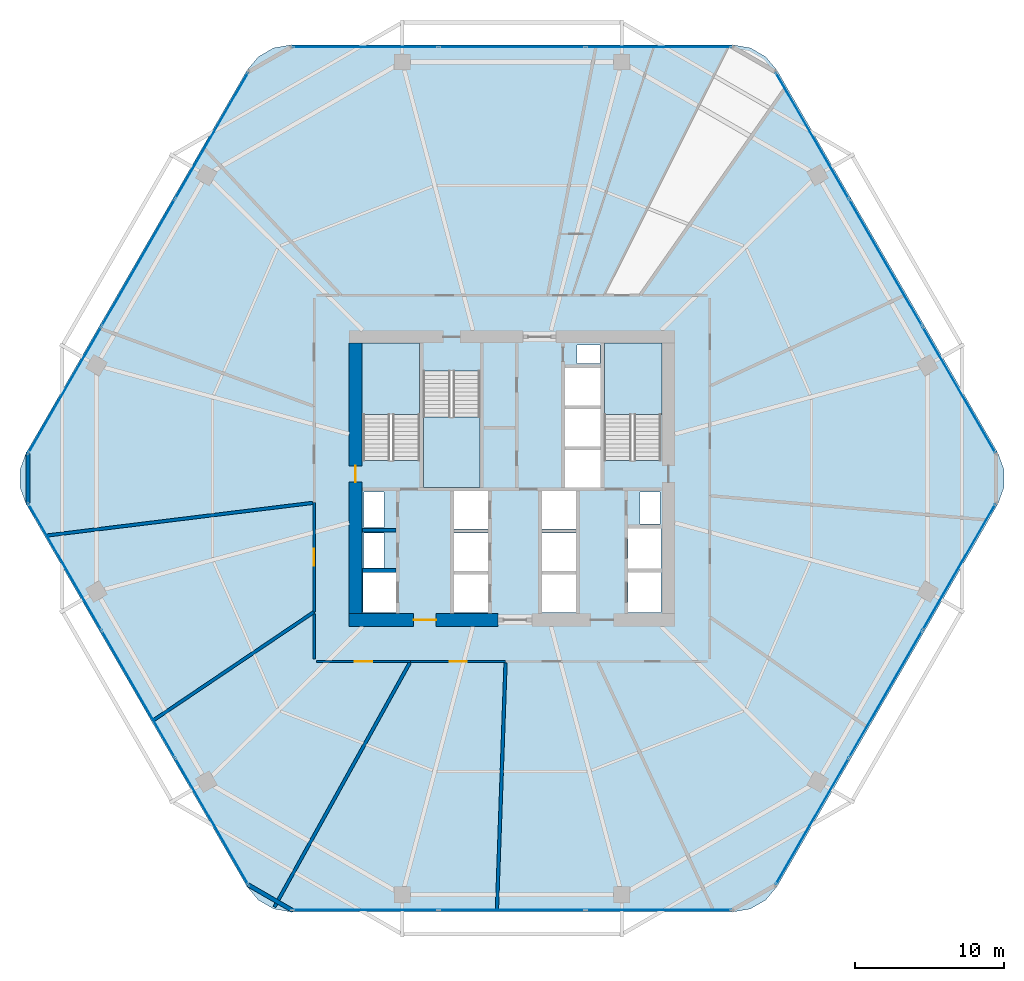
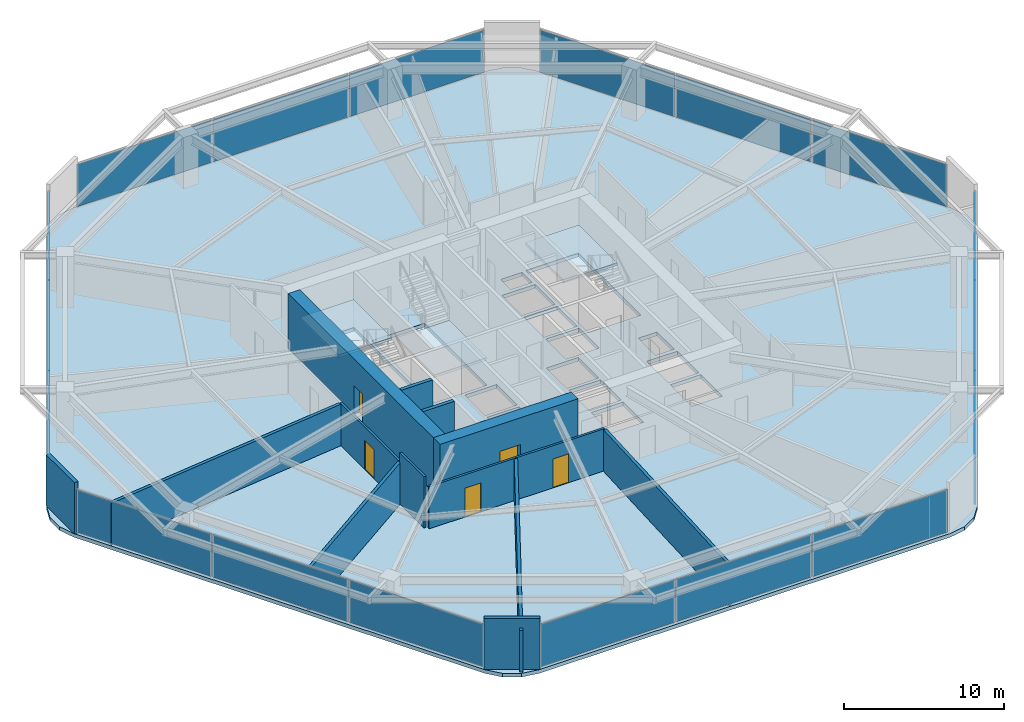
# One storey, part 24 of 28: 18 plates, 14 walls, 5 doors, 4 slabs, 5 openings, 9 elements without a shape of their own.
"""IFC4 building model written with IfcOpenShell, lengths in metres."""

import ifcopenshell
import ifcopenshell.guid

model = None  # the IFC model being written
_history = None  # IfcOwnerHistory: only IFC2X3 demands one
_inside = {}  # id of a spatial element -> (the spatial element, [elements in it])
_under = {}  # id of a project, library or spatial element -> (it, [spatial elements below it])
_declared = {}  # id of a project -> (the project, [libraries it declares])
_typed = {}  # id of a type object -> (the type object, [elements of that type])
_made_of = {}  # id of a material, layer set ... -> (it, [elements and type objects made of it])


def new_model(schema):
    """Start an empty IFC model of exactly this schema.

    Asked for "IFC4X3", IfcOpenShell would pick the latest addendum, in which some entities
    have other attributes; the version numbers below select the first issue.
    IFC2X3 requires an IfcOwnerHistory on every rooted entity: one is made here for all.
    """
    global model, _history
    if schema == "IFC4X3":
        model = ifcopenshell.file(schema_version=(4, 3, 0, 0))
    else:
        model = ifcopenshell.file(schema=schema)
    _inside.clear()
    _under.clear()
    _declared.clear()
    _typed.clear()
    _made_of.clear()
    _history = None
    if model.schema == "IFC2X3":
        org = make("IfcOrganization", Name="unknown")
        user = make(
            "IfcPersonAndOrganization",
            ThePerson=make("IfcPerson", FamilyName="unknown"),
            TheOrganization=org,
        )
        app = make(
            "IfcApplication",
            ApplicationDeveloper=org,
            Version="unknown",
            ApplicationFullName="unknown",
            ApplicationIdentifier="unknown",
        )
        _history = make(
            "IfcOwnerHistory",
            OwningUser=user,
            OwningApplication=app,
            ChangeAction="ADDED",
            CreationDate=0,
        )
    return model


def make(cls, **values):
    """One entity of the class cls with the attributes given. An attribute that is None is left unset."""
    return model.create_entity(
        cls, **{name: value for name, value in values.items() if value is not None}
    )


def rooted(cls, **values):
    """An entity with a GlobalId (a new one), such as an element, a storey or a relation."""
    return make(cls, GlobalId=ifcopenshell.guid.new(), OwnerHistory=_history, **values)


def si_unit(unit_type, name, prefix=None):
    """IfcSIUnit, for example si_unit("LENGTHUNIT", "METRE", prefix="MILLI")."""
    return make("IfcSIUnit", UnitType=unit_type, Prefix=prefix, Name=name)


def assignment(units):
    """IfcUnitAssignment: the units of a project."""
    return None if units is None else make("IfcUnitAssignment", Units=units)


def point(xyz):
    """IfcCartesianPoint."""
    return None if xyz is None else make("IfcCartesianPoint", Coordinates=xyz)


def direction(xyz):
    """IfcDirection."""
    return None if xyz is None else make("IfcDirection", DirectionRatios=xyz)


def frame(location, z_axis=None, x_axis=None):
    """IfcAxis2Placement3D, a coordinate frame: its origin and axes. An axis left out is left unset."""
    return make(
        "IfcAxis2Placement3D",
        Location=point(location),
        Axis=direction(z_axis),
        RefDirection=direction(x_axis),
    )


def frame_2d(location, x_axis=None):
    """IfcAxis2Placement2D, a coordinate frame in the plane: its origin and x axis."""
    return make(
        "IfcAxis2Placement2D", Location=point(location), RefDirection=direction(x_axis)
    )


def origin():
    """The frame at (0, 0, 0) with its axes left unset."""
    return frame((0.0, 0.0, 0.0))


def origin_2d():
    """The frame at (0, 0) in the plane with its x axis left unset."""
    return frame_2d((0.0, 0.0))


def place(relative_to, where):
    """IfcLocalPlacement: puts the frame where relative to a parent placement (None: the world)."""
    return make(
        "IfcLocalPlacement", PlacementRelTo=relative_to, RelativePlacement=where
    )


def context(
    kind, dimensions, precision=None, world=None, true_north=None, identifier=None
):
    """IfcGeometricRepresentationContext, for example the 3D "Model" context."""
    return make(
        "IfcGeometricRepresentationContext",
        ContextIdentifier=identifier,
        ContextType=kind,
        CoordinateSpaceDimension=dimensions,
        Precision=precision,
        WorldCoordinateSystem=world,
        TrueNorth=true_north,
    )


def subcontext(parent, identifier, kind, view, scale=None):
    """IfcGeometricRepresentationSubContext, for example "Body" below "Model"."""
    return make(
        "IfcGeometricRepresentationSubContext",
        ContextIdentifier=identifier,
        ContextType=kind,
        ParentContext=parent,
        TargetScale=scale,
        TargetView=view,
    )


def project(units=None, contexts=None):
    """IfcProject with its units and contexts."""
    return rooted(
        "IfcProject",
        Name="project",
        RepresentationContexts=contexts,
        UnitsInContext=assignment(units),
    )


def spatial(cls, under=None, at=None, **own):
    """A site, building, storey or space (cls), placed at a placement, below another one or the project."""
    s = rooted(cls, ObjectPlacement=at, **own)
    if under is not None:
        _under.setdefault(under.id(), (under, []))[1].append(s)
    return s


def polyline(points):
    """IfcPolyline through the points."""
    return make("IfcPolyline", Points=[point(p) for p in points])


def profile(cls, at=None, kind="AREA", **sizes):
    """A parametric profile (cls). Its sizes go by their IFC names, for example OverallWidth=200.0."""
    return make(cls, ProfileType=kind, Position=at, **sizes)


def rectangle(**sizes):
    """IfcRectangleProfileDef."""
    return profile("IfcRectangleProfileDef", **sizes)


def outline(outer, holes=None, kind="AREA"):
    """IfcArbitraryClosedProfileDef: a profile drawn as a closed curve; with holes, ...WithVoids."""
    if holes is None:
        return make("IfcArbitraryClosedProfileDef", ProfileType=kind, OuterCurve=outer)
    return make(
        "IfcArbitraryProfileDefWithVoids",
        ProfileType=kind,
        OuterCurve=outer,
        InnerCurves=holes,
    )


def extrude(swept, where, along, depth):
    """IfcExtrudedAreaSolid: the profile swept, set in the frame where, extruded along a direction by depth."""
    return make(
        "IfcExtrudedAreaSolid",
        SweptArea=swept,
        Position=where,
        ExtrudedDirection=direction(along),
        Depth=depth,
    )


def shape(context_of_items, identifier, shape_type, items):
    """IfcShapeRepresentation: the items that make up one representation, for example the "Body"."""
    return make(
        "IfcShapeRepresentation",
        ContextOfItems=context_of_items,
        RepresentationIdentifier=identifier,
        RepresentationType=shape_type,
        Items=items,
    )


def material(Name=None, Category=None):
    """IfcMaterial."""
    return make("IfcMaterial", Name=Name, Category=Category)


def layer(
    of_material, thickness, ventilated=None, Name=None, Category=None, Priority=None
):
    """IfcMaterialLayer: one layer of a wall or slab, of a material (None: an air gap)."""
    return make(
        "IfcMaterialLayer",
        Material=of_material,
        LayerThickness=thickness,
        IsVentilated=ventilated,
        Name=Name,
        Category=Category,
        Priority=Priority,
    )


def layer_set(layers, Name=None):
    """IfcMaterialLayerSet."""
    return make("IfcMaterialLayerSet", MaterialLayers=layers, LayerSetName=Name)


def made_of(thing, what):
    """Note that an element or type object is made of a material, layer set ...; save() writes the relation."""
    if what is not None:
        _made_of.setdefault(what.id(), (what, []))[1].append(thing)
    return thing


def type_object(cls, material=None, **own):
    """A type object (cls), such as IfcWallType, which elements share."""
    return made_of(rooted(cls, **own), material)


def element(
    cls,
    number,
    at=None,
    inside=None,
    cuts=None,
    type_object=None,
    material=None,
    context=None,
    identifier="Body",
    shape_type=None,
    held_by="IfcProductDefinitionShape",
    body=None,
    shapes=None,
    **own,
):
    """One element of the class cls, such as IfcWall. Its Tag is "e" and its number.

    at: its placement. inside: the storey or other place that contains it. cuts: it is an
    opening in that element (IfcRelVoidsElement). A single representation is given by context,
    identifier, shape_type and body (its items); several are given by shapes. held_by: the class
    of the entity that holds the representations. save() writes the other relations.
    """
    e = rooted(cls, Tag="e%d" % number, ObjectPlacement=at, **own)
    if body is not None:
        shapes = [shape(context, identifier, shape_type, body)]
    if shapes is not None:
        e.Representation = make(held_by, Representations=shapes)
    if inside is not None:
        _inside.setdefault(inside.id(), (inside, []))[1].append(e)
    if cuts is not None:
        rooted(
            "IfcRelVoidsElement", RelatingBuildingElement=cuts, RelatedOpeningElement=e
        )
    if type_object is not None:
        _typed.setdefault(type_object.id(), (type_object, []))[1].append(e)
    return made_of(e, material)


def fill(opening, filler):
    """IfcRelFillsElement: the door or window that sits in an opening."""
    return rooted(
        "IfcRelFillsElement",
        RelatingOpeningElement=opening,
        RelatedBuildingElement=filler,
    )


def aggregate(whole, parts):
    """IfcRelAggregates: a whole, such as a stair, and the parts it consists of."""
    return rooted("IfcRelAggregates", RelatingObject=whole, RelatedObjects=parts)


def save(model, path):
    """Write the relations noted so far, then the file.

    IfcRelAggregates (storeys below a building ...), IfcRelContainedInSpatialStructure (elements
    in a storey), IfcRelDefinesByType, IfcRelAssociatesMaterial and IfcRelDeclares: one each for
    every whole, place, type object, material and project.
    """
    for whole, parts in _under.values():
        aggregate(whole, parts)
    for where, things in _inside.values():
        rooted(
            "IfcRelContainedInSpatialStructure",
            RelatedElements=things,
            RelatingStructure=where,
        )
    for kind, things in _typed.values():
        rooted("IfcRelDefinesByType", RelatedObjects=things, RelatingType=kind)
    for what, things in _made_of.values():
        rooted("IfcRelAssociatesMaterial", RelatedObjects=things, RelatingMaterial=what)
    for by, libraries in _declared.values():
        rooted("IfcRelDeclares", RelatingContext=by, RelatedDefinitions=libraries)
    model.write(path)


model = new_model("IFC4")

# Units and contexts
model_context = context("Model", 3, precision=1e-05, world=origin(), true_north=direction((0.0, 1.0)))
body_context = subcontext(model_context, "Body", "Model", "MODEL_VIEW")
ifc_project = project(units=[si_unit("LENGTHUNIT", "METRE"), si_unit("AREAUNIT", "SQUARE_METRE"), si_unit("VOLUMEUNIT", "CUBIC_METRE"), si_unit("PLANEANGLEUNIT", "RADIAN"), si_unit("MASSUNIT", "GRAM", prefix="KILO")], contexts=[model_context])

# Site, building, storey
site_placement = place(None, origin())
site = spatial("IfcSite", under=ifc_project, at=site_placement, CompositionType="ELEMENT")
building_placement = place(site_placement, origin())
building = spatial("IfcBuilding", under=site, at=building_placement, Name="Zuhravey Tower", CompositionType="ELEMENT")
storey_placement = place(building_placement, frame((0.0, 0.0, 79.199951171875)))
storey = spatial("IfcBuildingStorey", under=building, at=storey_placement, Name="L19", CompositionType="ELEMENT", Elevation=79.199951171875)

# Curtain wall, plates
ifc_material_1 = material(Name="Thermally broken anodised aluminium", Category="aluminium")
curtain_wall_type = type_object("IfcCurtainWallType", Name="School Low-E Unitised Curtain Wall CW1", PredefinedType="NOTDEFINED", material=ifc_material_1)
curtain_wall_1_placement = place(storey_placement, origin())
curtain_wall_1 = element("IfcCurtainWall", 1, at=curtain_wall_1_placement, inside=storey, type_object=curtain_wall_type, Name="L19 CW1 CW-L19-F6-1", PredefinedType="NOTDEFINED")
ifc_material_2 = material(Name="Laminated acoustic low-E vision glass", Category="glass")
ifc_layer_1 = layer(ifc_material_2, 0.048095703125)
ifc_layer_set_1 = layer_set([ifc_layer_1], Name="Laminated acoustic low-E vision glass")
plate_type = type_object("IfcPlateType", Name="Acoustic School Vision Panel", PredefinedType="CURTAIN_PANEL", material=ifc_layer_set_1)
plate_1_placement = place(storey_placement, frame((66.000732421875, 26.045654296875, 0.08984375), z_axis=(0.0, 0.0, 1.0), x_axis=(-0.499999794119, -0.86602552265, 0.0)))
plate_1 = element("IfcPlate", 2, at=plate_1_placement, type_object=plate_type, Name="CW1 panel 1.1", PredefinedType="CURTAIN_PANEL", context=body_context, shape_type="SweptSolid", body=[
    extrude(rectangle(XDim=9.7314453125, YDim=0.048095703125, at=origin_2d()), origin(), (0.0, 0.0, 1.0), 3.239990234375),
])
plate_2_placement = place(storey_placement, frame((61.078857421875, 17.520751953125, 0.08984375), z_axis=(0.0, 0.0, 1.0), x_axis=(-0.499999794119, -0.86602552265, 0.0)))
plate_2 = element("IfcPlate", 3, at=plate_2_placement, type_object=plate_type, Name="CW1 panel 2.1", PredefinedType="CURTAIN_PANEL", context=body_context, shape_type="SweptSolid", body=[
    extrude(rectangle(XDim=9.7763671875, YDim=0.048095703125, at=origin_2d()), origin(), (0.0, 0.0, 1.0), 3.239990234375),
])
plate_3_placement = place(storey_placement, frame((56.15673828125, 8.995849609375, 0.08984375), z_axis=(0.0, 0.0, 1.0), x_axis=(-0.499999794119, -0.86602552265, 0.0)))
plate_3 = element("IfcPlate", 4, at=plate_3_placement, type_object=plate_type, Name="CW1 panel 3.1", PredefinedType="CURTAIN_PANEL", context=body_context, shape_type="SweptSolid", body=[
    extrude(rectangle(XDim=9.7314453125, YDim=0.048095703125, at=origin_2d()), origin(), (0.0, 0.0, 1.0), 3.239990234375),
])
aggregate(curtain_wall_1, [plate_1, plate_2, plate_3])

curtain_wall_2_placement = place(storey_placement, origin())
curtain_wall_2 = element("IfcCurtainWall", 5, at=curtain_wall_2_placement, inside=storey, type_object=curtain_wall_type, Name="L19 CW1 CW-L19-F5-1", PredefinedType="NOTDEFINED")
plate_4_placement = place(storey_placement, frame((45.84375, 3.04150390625, 0.08984375), z_axis=(0.0, 0.0, 1.0), x_axis=(-1.0, 0.0, 0.0)))
plate_4 = element("IfcPlate", 6, at=plate_4_placement, type_object=plate_type, Name="CW1 panel 1.1", PredefinedType="CURTAIN_PANEL", context=body_context, shape_type="SweptSolid", body=[
    extrude(rectangle(XDim=9.7314453125, YDim=0.048095703125, at=origin_2d()), origin(), (0.0, 0.0, 1.0), 3.239990234375),
])
plate_5_placement = place(storey_placement, frame((36.0, 3.04150390625, 0.08984375), z_axis=(0.0, 0.0, 1.0), x_axis=(-1.0, 0.0, 0.0)))
plate_5 = element("IfcPlate", 7, at=plate_5_placement, type_object=plate_type, Name="CW1 panel 2.1", PredefinedType="CURTAIN_PANEL", context=body_context, shape_type="SweptSolid", body=[
    extrude(rectangle(XDim=9.7763671875, YDim=0.048095703125, at=origin_2d()), origin(), (0.0, 0.0, 1.0), 3.239990234375),
])
plate_6_placement = place(storey_placement, frame((26.15625, 3.04150390625, 0.08984375), z_axis=(0.0, 0.0, 1.0), x_axis=(-1.0, 0.0, 0.0)))
plate_6 = element("IfcPlate", 8, at=plate_6_placement, type_object=plate_type, Name="CW1 panel 3.1", PredefinedType="CURTAIN_PANEL", context=body_context, shape_type="SweptSolid", body=[
    extrude(rectangle(XDim=9.7314453125, YDim=0.048095703125, at=origin_2d()), origin(), (0.0, 0.0, 1.0), 3.239990234375),
])
aggregate(curtain_wall_2, [plate_4, plate_5, plate_6])

curtain_wall_3_placement = place(storey_placement, origin())
curtain_wall_3 = element("IfcCurtainWall", 9, at=curtain_wall_3_placement, inside=storey, type_object=curtain_wall_type, Name="L19 CW1 CW-L19-F4-1", PredefinedType="NOTDEFINED")
plate_7_placement = place(storey_placement, frame((15.84326171875, 8.995849609375, 0.08984375), z_axis=(0.0, 0.0, 1.0), x_axis=(-0.499999794119, 0.86602552265, 0.0)))
plate_7 = element("IfcPlate", 10, at=plate_7_placement, type_object=plate_type, Name="CW1 panel 1.1", PredefinedType="CURTAIN_PANEL", context=body_context, shape_type="SweptSolid", body=[
    extrude(rectangle(XDim=9.7314453125, YDim=0.048095703125, at=origin_2d()), origin(), (0.0, 0.0, 1.0), 3.239990234375),
])
plate_8_placement = place(storey_placement, frame((10.921142578125, 17.520751953125, 0.08984375), z_axis=(0.0, 0.0, 1.0), x_axis=(-0.499999794119, 0.86602552265, 0.0)))
plate_8 = element("IfcPlate", 11, at=plate_8_placement, type_object=plate_type, Name="CW1 panel 2.1", PredefinedType="CURTAIN_PANEL", context=body_context, shape_type="SweptSolid", body=[
    extrude(rectangle(XDim=9.7763671875, YDim=0.048095703125, at=origin_2d()), origin(), (0.0, 0.0, 1.0), 3.239990234375),
])
plate_9_placement = place(storey_placement, frame((5.999267578125, 26.045654296875, 0.08984375), z_axis=(0.0, 0.0, 1.0), x_axis=(-0.499999794119, 0.86602552265, 0.0)))
plate_9 = element("IfcPlate", 12, at=plate_9_placement, type_object=plate_type, Name="CW1 panel 3.1", PredefinedType="CURTAIN_PANEL", context=body_context, shape_type="SweptSolid", body=[
    extrude(rectangle(XDim=9.7314453125, YDim=0.048095703125, at=origin_2d()), origin(), (0.0, 0.0, 1.0), 3.239990234375),
])
aggregate(curtain_wall_3, [plate_7, plate_8, plate_9])

curtain_wall_4_placement = place(storey_placement, origin())
curtain_wall_4 = element("IfcCurtainWall", 13, at=curtain_wall_4_placement, inside=storey, type_object=curtain_wall_type, Name="L19 CW1 CW-L19-F3-1", PredefinedType="NOTDEFINED")
plate_10_placement = place(storey_placement, frame((5.999267578125, 37.954345703125, 0.08984375), z_axis=(0.0, 0.0, 1.0), x_axis=(0.499999794119, 0.86602552265, 0.0)))
plate_10 = element("IfcPlate", 14, at=plate_10_placement, type_object=plate_type, Name="CW1 panel 1.1", PredefinedType="CURTAIN_PANEL", context=body_context, shape_type="SweptSolid", body=[
    extrude(rectangle(XDim=9.7314453125, YDim=0.048095703125, at=origin_2d()), origin(), (0.0, 0.0, 1.0), 3.239990234375),
])
plate_11_placement = place(storey_placement, frame((10.921142578125, 46.479248046875, 0.08984375), z_axis=(0.0, 0.0, 1.0), x_axis=(0.499999794119, 0.86602552265, 0.0)))
plate_11 = element("IfcPlate", 15, at=plate_11_placement, type_object=plate_type, Name="CW1 panel 2.1", PredefinedType="CURTAIN_PANEL", context=body_context, shape_type="SweptSolid", body=[
    extrude(rectangle(XDim=9.7763671875, YDim=0.048095703125, at=origin_2d()), origin(), (0.0, 0.0, 1.0), 3.239990234375),
])
plate_12_placement = place(storey_placement, frame((15.84326171875, 55.004150390625, 0.08984375), z_axis=(0.0, 0.0, 1.0), x_axis=(0.499999794119, 0.86602552265, 0.0)))
plate_12 = element("IfcPlate", 16, at=plate_12_placement, type_object=plate_type, Name="CW1 panel 3.1", PredefinedType="CURTAIN_PANEL", context=body_context, shape_type="SweptSolid", body=[
    extrude(rectangle(XDim=9.7314453125, YDim=0.048095703125, at=origin_2d()), origin(), (0.0, 0.0, 1.0), 3.239990234375),
])
aggregate(curtain_wall_4, [plate_10, plate_11, plate_12])

curtain_wall_5_placement = place(storey_placement, origin())
curtain_wall_5 = element("IfcCurtainWall", 17, at=curtain_wall_5_placement, inside=storey, type_object=curtain_wall_type, Name="L19 CW1 CW-L19-F2-1", PredefinedType="NOTDEFINED")
plate_13_placement = place(storey_placement, frame((26.15625, 60.95849609375, 0.08984375), z_axis=(0.0, 0.0, 1.0), x_axis=(1.0, 0.0, 0.0)))
plate_13 = element("IfcPlate", 18, at=plate_13_placement, type_object=plate_type, Name="CW1 panel 1.1", PredefinedType="CURTAIN_PANEL", context=body_context, shape_type="SweptSolid", body=[
    extrude(rectangle(XDim=9.7314453125, YDim=0.048095703125, at=origin_2d()), origin(), (0.0, 0.0, 1.0), 3.239990234375),
])
plate_14_placement = place(storey_placement, frame((36.0, 60.95849609375, 0.08984375), z_axis=(0.0, 0.0, 1.0), x_axis=(1.0, 0.0, 0.0)))
plate_14 = element("IfcPlate", 19, at=plate_14_placement, type_object=plate_type, Name="CW1 panel 2.1", PredefinedType="CURTAIN_PANEL", context=body_context, shape_type="SweptSolid", body=[
    extrude(rectangle(XDim=9.7763671875, YDim=0.048095703125, at=origin_2d()), origin(), (0.0, 0.0, 1.0), 3.239990234375),
])
plate_15_placement = place(storey_placement, frame((45.84375, 60.95849609375, 0.08984375), z_axis=(0.0, 0.0, 1.0), x_axis=(1.0, 0.0, 0.0)))
plate_15 = element("IfcPlate", 20, at=plate_15_placement, type_object=plate_type, Name="CW1 panel 3.1", PredefinedType="CURTAIN_PANEL", context=body_context, shape_type="SweptSolid", body=[
    extrude(rectangle(XDim=9.7314453125, YDim=0.048095703125, at=origin_2d()), origin(), (0.0, 0.0, 1.0), 3.239990234375),
])
aggregate(curtain_wall_5, [plate_13, plate_14, plate_15])

curtain_wall_6_placement = place(storey_placement, origin())
curtain_wall_6 = element("IfcCurtainWall", 21, at=curtain_wall_6_placement, inside=storey, type_object=curtain_wall_type, Name="L19 CW1 CW-L19-F1-1", PredefinedType="NOTDEFINED")
plate_16_placement = place(storey_placement, frame((56.15673828125, 55.004150390625, 0.08984375), z_axis=(0.0, 0.0, 1.0), x_axis=(0.499999794119, -0.86602552265, 0.0)))
plate_16 = element("IfcPlate", 22, at=plate_16_placement, type_object=plate_type, Name="CW1 panel 1.1", PredefinedType="CURTAIN_PANEL", context=body_context, shape_type="SweptSolid", body=[
    extrude(rectangle(XDim=9.7314453125, YDim=0.048095703125, at=origin_2d()), origin(), (0.0, 0.0, 1.0), 3.239990234375),
])
plate_17_placement = place(storey_placement, frame((61.078857421875, 46.479248046875, 0.08984375), z_axis=(0.0, 0.0, 1.0), x_axis=(0.499999794119, -0.86602552265, 0.0)))
plate_17 = element("IfcPlate", 23, at=plate_17_placement, type_object=plate_type, Name="CW1 panel 2.1", PredefinedType="CURTAIN_PANEL", context=body_context, shape_type="SweptSolid", body=[
    extrude(rectangle(XDim=9.7763671875, YDim=0.048095703125, at=origin_2d()), origin(), (0.0, 0.0, 1.0), 3.239990234375),
])
plate_18_placement = place(storey_placement, frame((66.000732421875, 37.954345703125, 0.08984375), z_axis=(0.0, 0.0, 1.0), x_axis=(0.499999794119, -0.86602552265, 0.0)))
plate_18 = element("IfcPlate", 24, at=plate_18_placement, type_object=plate_type, Name="CW1 panel 3.1", PredefinedType="CURTAIN_PANEL", context=body_context, shape_type="SweptSolid", body=[
    extrude(rectangle(XDim=9.7314453125, YDim=0.048095703125, at=origin_2d()), origin(), (0.0, 0.0, 1.0), 3.239990234375),
])
aggregate(curtain_wall_6, [plate_16, plate_17, plate_18])

# Slab
ifc_material_3 = material(Name="Concrete C50/60", Category="concrete")
ifc_layer_2 = layer(ifc_material_3, 0.280029296875)
ifc_layer_set_2 = layer_set([ifc_layer_2], Name="Concrete C50/60")
slab_type_1 = type_object("IfcSlabType", Name="School Composite Floor Slab 280", PredefinedType="FLOOR", material=ifc_layer_set_2)
slab_1_placement = place(storey_placement, frame((0.0, 0.0, -0.280029296875)))
element("IfcSlab", 25, at=slab_1_placement, inside=storey, type_object=slab_type_1, Name="L19 Floor Slab FS28", PredefinedType="FLOOR", context=body_context, shape_type="SweptSolid", body=[
    extrude(outline(polyline([(68.618408203125, 30.300048828125), (69.0224609375, 31.40966796875), (69.0224609375, 32.59033203125), (68.618408203125, 33.699951171875), (53.781494140625, 59.3984375), (53.0224609375, 60.302978515625), (52.0, 60.893310546875), (50.8369140625, 61.098388671875), (21.1630859375, 61.098388671875), (20.0, 60.893310546875), (18.9775390625, 60.302978515625), (18.218505859375, 59.3984375), (3.381591796875, 33.699951171875), (2.9775390625, 32.59033203125), (2.9775390625, 31.40966796875), (3.381591796875, 30.300048828125), (18.218505859375, 4.6015625), (18.9775390625, 3.697021484375), (20.0, 3.106689453125), (21.1630859375, 2.901611328125), (50.8369140625, 2.901611328125), (52.0, 3.106689453125), (53.0224609375, 3.697021484375), (53.781494140625, 4.6015625), (68.618408203125, 30.300048828125)]), holes=[polyline([(29.800048828125, 33.20068359375), (29.800048828125, 41.0), (26.0, 41.0), (26.0, 33.20068359375), (29.800048828125, 33.20068359375)]), polyline([(46.0, 33.20068359375), (46.0, 41.0), (42.199951171875, 41.0), (42.199951171875, 33.20068359375), (46.0, 33.20068359375)]), polyline([(30.050048828125, 39.199462890625), (30.050048828125, 31.39990234375), (33.85009765625, 31.39990234375), (33.85009765625, 39.199462890625), (30.050048828125, 39.199462890625)]), polyline([(32.10009765625, 23.0), (34.39990234375, 23.0), (34.39990234375, 25.550048828125), (32.10009765625, 25.550048828125), (32.10009765625, 23.0)]), polyline([(32.10009765625, 25.800048828125), (34.39990234375, 25.800048828125), (34.39990234375, 28.35009765625), (32.10009765625, 28.35009765625), (32.10009765625, 25.800048828125)]), polyline([(32.10009765625, 28.60009765625), (34.39990234375, 28.60009765625), (34.39990234375, 31.14990234375), (32.10009765625, 31.14990234375), (32.10009765625, 28.60009765625)]), polyline([(38.0, 23.0), (40.300048828125, 23.0), (40.300048828125, 25.550048828125), (38.0, 25.550048828125), (38.0, 23.0)]), polyline([(38.0, 25.800048828125), (40.300048828125, 25.800048828125), (40.300048828125, 28.35009765625), (38.0, 28.35009765625), (38.0, 25.800048828125)]), polyline([(38.0, 28.60009765625), (40.300048828125, 28.60009765625), (40.300048828125, 31.14990234375), (38.0, 31.14990234375), (38.0, 28.60009765625)]), polyline([(39.550048828125, 31.39990234375), (41.949951171875, 31.39990234375), (41.949951171875, 33.89990234375), (39.550048828125, 33.89990234375), (39.550048828125, 31.39990234375)]), polyline([(39.550048828125, 34.14990234375), (41.949951171875, 34.14990234375), (41.949951171875, 36.64990234375), (39.550048828125, 36.64990234375), (39.550048828125, 34.14990234375)]), polyline([(39.550048828125, 36.89990234375), (41.949951171875, 36.89990234375), (41.949951171875, 39.39990234375), (39.550048828125, 39.39990234375), (39.550048828125, 36.89990234375)]), polyline([(26.0, 23.0), (28.199951171875, 23.0), (28.199951171875, 25.699951171875), (26.0, 25.699951171875), (26.0, 23.0)]), polyline([(43.800048828125, 23.0), (46.0, 23.0), (46.0, 25.699951171875), (43.800048828125, 25.699951171875), (43.800048828125, 23.0)]), polyline([(43.800048828125, 25.949951171875), (46.0, 25.949951171875), (46.0, 28.64990234375), (43.800048828125, 28.64990234375), (43.800048828125, 25.949951171875)]), polyline([(26.050048828125, 26.0), (27.39990234375, 26.0), (27.39990234375, 28.35009765625), (26.050048828125, 28.35009765625), (26.050048828125, 26.0)]), polyline([(26.050048828125, 28.699951171875), (27.39990234375, 28.699951171875), (27.39990234375, 31.10009765625), (26.050048828125, 31.10009765625), (26.050048828125, 28.699951171875)]), polyline([(44.60009765625, 28.949951171875), (45.949951171875, 28.949951171875), (45.949951171875, 31.10009765625), (44.60009765625, 31.10009765625), (44.60009765625, 28.949951171875)]), polyline([(40.35009765625, 39.699951171875), (41.89990234375, 39.699951171875), (41.89990234375, 40.949951171875), (40.35009765625, 40.949951171875), (40.35009765625, 39.699951171875)])]), origin(), (0.0, 0.0, 1.0), 0.280029296875),
])

# Stair, slab
ifc_material_4 = material(Name="Concrete C40/50", Category="concrete")
stair_type = type_object("IfcStairType", Name="School Storey Stair Assembly 4200", PredefinedType="HALF_TURN_STAIR", material=ifc_material_4)
stair_1_placement = place(storey_placement, origin())
stair_1 = element("IfcStair", 26, at=stair_1_placement, inside=storey, type_object=stair_type, Name="L19 Core Exit Stair ST1", PredefinedType="HALF_TURN_STAIR")
ifc_layer_3 = layer(ifc_material_4, 0.199951171875)
ifc_layer_set_3 = layer_set([ifc_layer_3], Name="Concrete C40/50")
slab_type_2 = type_object("IfcSlabType", Name="Stair Landing Slab 200", PredefinedType="LANDING", material=ifc_layer_set_3)
slab_2_placement = place(storey_placement, frame((0.0, 0.0, 1.900146484375)))
slab_2 = element("IfcSlab", 27, at=slab_2_placement, type_object=slab_type_2, Name="ST1 landing 1", PredefinedType="LANDING", context=body_context, shape_type="SweptSolid", body=[
    extrude(outline(polyline([(29.800048828125, 36.280029296875), (29.800048828125, 41.072998046875), (25.927001953125, 41.072998046875), (25.927001953125, 36.280029296875), (29.800048828125, 36.280029296875)])), origin(), (0.0, 0.0, 1.0), 0.199951171875),
])
aggregate(stair_1, [slab_2])

stair_2_placement = place(storey_placement, origin())
stair_2 = element("IfcStair", 28, at=stair_2_placement, inside=storey, type_object=stair_type, Name="L19 Core Exit Stair ST2", PredefinedType="HALF_TURN_STAIR")
slab_3_placement = place(storey_placement, frame((0.0, 0.0, 1.900146484375)))
slab_3 = element("IfcSlab", 29, at=slab_3_placement, type_object=slab_type_2, Name="ST2 landing 1", PredefinedType="LANDING", context=body_context, shape_type="SweptSolid", body=[
    extrude(outline(polyline([(46.072998046875, 36.280029296875), (46.072998046875, 41.072998046875), (42.199951171875, 41.072998046875), (42.199951171875, 36.280029296875), (46.072998046875, 36.280029296875)])), origin(), (0.0, 0.0, 1.0), 0.199951171875),
])
aggregate(stair_2, [slab_3])

stair_3_placement = place(storey_placement, origin())
stair_3 = element("IfcStair", 30, at=stair_3_placement, inside=storey, type_object=stair_type, Name="L19 Core Exit Stair ST3", PredefinedType="HALF_TURN_STAIR")
slab_4_placement = place(storey_placement, frame((0.0, 0.0, 1.900146484375)))
slab_4 = element("IfcSlab", 31, at=slab_4_placement, type_object=slab_type_2, Name="ST3 landing 1", PredefinedType="LANDING", context=body_context, shape_type="SweptSolid", body=[
    extrude(outline(polyline([(30.050048828125, 36.1201171875), (30.050048828125, 31.39990234375), (33.85009765625, 31.39990234375), (33.85009765625, 36.1201171875), (30.050048828125, 36.1201171875)])), origin(), (0.0, 0.0, 1.0), 0.199951171875),
])
aggregate(stair_3, [slab_4])

# Wall, opening, door
ifc_material_5 = material(Name="Concrete C60/75", Category="concrete")
ifc_layer_4 = layer(ifc_material_5, 0.85009765625)
ifc_layer_set_4 = layer_set([ifc_layer_4], Name="Concrete C60/75")
wall_type_1 = type_object("IfcWallType", Name="Core Shear Wall 850", PredefinedType="SHEAR", material=ifc_layer_set_4)
wall_1_placement = place(storey_placement, frame((25.074951171875, 22.5, 0.0), z_axis=(0.0, 0.0, 1.0), x_axis=(1.0, 0.0, 0.0)))
wall_1 = element("IfcWall", 32, at=wall_1_placement, inside=storey, type_object=wall_type_1, Name="L19 South-West Core Shear Wall CW85", PredefinedType="SHEAR", context=body_context, shape_type="SweptSolid", body=[
    extrude(rectangle(XDim=9.97509765625, YDim=0.85009765625, at=frame_2d((4.987548828125, 0.0))), origin(), (0.0, 0.0, 1.0), 4.199951171875),
])
opening_1_placement = place(wall_1_placement, frame((4.324951171875, 0.0, 0.0)))
opening_1 = element("IfcOpeningElement", 33, at=opening_1_placement, cuts=wall_1, Name="Opening FFD1", PredefinedType="OPENING", context=body_context, shape_type="SweptSolid", body=[
    extrude(rectangle(XDim=1.5, YDim=2.14990234375, at=frame_2d((0.75, 1.074951171875))), frame((0.0, 0.43701171875, 0.0), z_axis=(0.0, -1.0, 0.0), x_axis=(1.0, 0.0, 0.0)), (0.0, 0.0, 1.0), 0.8740234375),
])
ifc_material_6 = material(Name="Galvanised fire-rated steel leaf", Category="steel")
door_type_1 = type_object("IfcDoorType", Name="Firefighting Lobby Double Door 1500x2150", OperationType="DOUBLE_DOOR_SINGLE_SWING", PredefinedType="DOOR", material=ifc_material_6)
door_1_placement = place(opening_1_placement, origin())
door_1 = element("IfcDoor", 34, at=door_1_placement, inside=storey, type_object=door_type_1, Name="L19 Firefighting Lobby West Door", OperationType="DOUBLE_DOOR_SINGLE_SWING", OverallHeight=2.14990234375, OverallWidth=1.5, PredefinedType="DOOR", context=body_context, shape_type="SweptSolid", body=[
    extrude(rectangle(XDim=1.5, YDim=2.14990234375, at=frame_2d((0.75, 1.074951171875))), frame((0.0, 0.02490234375, 0.0), z_axis=(0.0, -1.0, 0.0), x_axis=(1.0, 0.0, 0.0)), (0.0, 0.0, 1.0), 0.050048828125),
])
fill(opening_1, door_1)

wall_2_placement = place(storey_placement, frame((25.5, 22.925048828125, 0.0), z_axis=(0.0, 0.0, 1.0), x_axis=(0.0, 1.0, 0.0)))
wall_2 = element("IfcWall", 35, at=wall_2_placement, inside=storey, type_object=wall_type_1, Name="L19 West Core Shear Wall CW85", PredefinedType="SHEAR", context=body_context, shape_type="SweptSolid", body=[
    extrude(rectangle(XDim=18.14990234375, YDim=0.85009765625, at=frame_2d((9.074951171875, 0.0))), origin(), (0.0, 0.0, 1.0), 4.199951171875),
])
opening_2_placement = place(wall_2_placement, frame((8.824951171875, 0.0, 0.0)))
opening_2 = element("IfcOpeningElement", 36, at=opening_2_placement, cuts=wall_2, Name="Opening STD1", PredefinedType="OPENING", context=body_context, shape_type="SweptSolid", body=[
    extrude(rectangle(XDim=1.10009765625, YDim=2.14990234375, at=frame_2d((0.550048828125, 1.074951171875))), frame((0.0, 0.43701171875, 0.0), z_axis=(0.0, -1.0, 0.0), x_axis=(1.0, 0.0, 0.0)), (0.0, 0.0, 1.0), 0.8740234375),
])
door_type_2 = type_object("IfcDoorType", Name="Protected Stair Fire Door 1100x2150", OperationType="NOTDEFINED", PredefinedType="USERDEFINED", material=ifc_material_6)
door_2_placement = place(opening_2_placement, frame((1.10009765625, 0.0, 0.0), z_axis=(0.0, 0.0, 1.0), x_axis=(-1.0, 0.0, 0.0)))
door_2 = element("IfcDoor", 37, at=door_2_placement, inside=storey, type_object=door_type_2, Name="L19 Stair ST1 Door", ObjectType="EXITDOOR", OperationType="SINGLE_SWING_LEFT", OverallHeight=2.14990234375, OverallWidth=1.10009765625, PredefinedType="USERDEFINED", context=body_context, shape_type="SweptSolid", body=[
    extrude(rectangle(XDim=1.10009765625, YDim=2.14990234375, at=frame_2d((0.550048828125, 1.074951171875))), frame((0.0, 0.02490234375, 0.0), z_axis=(0.0, -1.0, 0.0), x_axis=(1.0, 0.0, 0.0)), (0.0, 0.0, 1.0), 0.050048828125),
])
fill(opening_2, door_2)

ifc_material_7 = material(Name="Gypsum fire-rated stud partition")
ifc_layer_5 = layer(ifc_material_7, 0.159912109375)
ifc_layer_set_5 = layer_set([ifc_layer_5], Name="Gypsum fire-rated stud partition")
wall_type_2 = type_object("IfcWallType", Name="Corridor Fire Partition 160", PredefinedType="PARTITIONING", material=ifc_layer_set_5)
wall_3_placement = place(storey_placement, frame((22.715087890625, 30.368896484375, 0.0), z_axis=(0.0, 0.0, 1.0), x_axis=(0.0, -1.0, 0.0)))
wall_3 = element("IfcWall", 38, at=wall_3_placement, inside=storey, type_object=wall_type_2, Name="L19 IW16 Partition 026", PredefinedType="PARTITIONING", context=body_context, shape_type="SweptSolid", body=[
    extrude(rectangle(XDim=7.32958984375, YDim=0.159912109375, at=frame_2d((3.664794921875, 0.0))), origin(), (0.0, 0.0, 1.0), 3.219970703125),
])
opening_3_placement = place(wall_3_placement, frame((3.08984375, 0.0, 0.0)))
opening_3 = element("IfcOpeningElement", 39, at=opening_3_placement, cuts=wall_3, Name="Opening CLD1", PredefinedType="OPENING", context=body_context, shape_type="SweptSolid", body=[
    extrude(rectangle(XDim=1.14990234375, YDim=2.199951171875, at=frame_2d((0.574951171875, 1.10009765625))), frame((0.0, 0.092041015625, 0.0), z_axis=(0.0, -1.0, 0.0), x_axis=(1.0, 0.0, 0.0)), (0.0, 0.0, 1.0), 0.183837890625),
])
ifc_material_8 = material(Name="Acoustic timber leaf with vision lite", Category="wood")
door_type_3 = type_object("IfcDoorType", Name="Classroom Acoustic Door 1150x2200", OperationType="NOTDEFINED", PredefinedType="DOOR", material=ifc_material_8)
door_3_placement = place(opening_3_placement, frame((1.14990234375, 0.0, 0.0), z_axis=(0.0, 0.0, 1.0), x_axis=(-1.0, 0.0, 0.0)))
door_3 = element("IfcDoor", 40, at=door_3_placement, inside=storey, type_object=door_type_3, Name="L19 Door 026.1", OperationType="SINGLE_SWING_RIGHT", OverallHeight=2.199951171875, OverallWidth=1.14990234375, PredefinedType="DOOR", context=body_context, shape_type="SweptSolid", body=[
    extrude(rectangle(XDim=1.14990234375, YDim=2.199951171875, at=frame_2d((0.574951171875, 1.10009765625))), frame((0.0, 0.02490234375, 0.0), z_axis=(0.0, -1.0, 0.0), x_axis=(1.0, 0.0, 0.0)), (0.0, 0.0, 1.0), 0.050048828125),
])
fill(opening_3, door_3)

wall_4_placement = place(storey_placement, frame((22.875, 19.715087890625, 0.0), z_axis=(0.0, 0.0, 1.0), x_axis=(1.0, 0.0, 0.0)))
wall_4 = element("IfcWall", 41, at=wall_4_placement, inside=storey, type_object=wall_type_2, Name="L19 IW16 Partition 027", PredefinedType="PARTITIONING", context=body_context, shape_type="SweptSolid", body=[
    extrude(rectangle(XDim=6.315185546875, YDim=0.159912109375, at=frame_2d((3.15771484375, 0.0))), origin(), (0.0, 0.0, 1.0), 3.219970703125),
])
opening_4_placement = place(wall_4_placement, frame((2.582763671875, 0.0, 0.0)))
opening_4 = element("IfcOpeningElement", 42, at=opening_4_placement, cuts=wall_4, Name="Opening CLD1", PredefinedType="OPENING", context=body_context, shape_type="SweptSolid", body=[
    extrude(rectangle(XDim=1.14990234375, YDim=2.199951171875, at=frame_2d((0.574951171875, 1.10009765625))), frame((0.0, 0.092041015625, 0.0), z_axis=(0.0, -1.0, 0.0), x_axis=(1.0, 0.0, 0.0)), (0.0, 0.0, 1.0), 0.183837890625),
])
door_4_placement = place(opening_4_placement, frame((1.14990234375, 0.0, 0.0), z_axis=(0.0, 0.0, 1.0), x_axis=(-1.0, 0.0, 0.0)))
door_4 = element("IfcDoor", 43, at=door_4_placement, inside=storey, type_object=door_type_3, Name="L19 Door 027.1", OperationType="SINGLE_SWING_LEFT", OverallHeight=2.199951171875, OverallWidth=1.14990234375, PredefinedType="DOOR", context=body_context, shape_type="SweptSolid", body=[
    extrude(rectangle(XDim=1.14990234375, YDim=2.199951171875, at=frame_2d((0.574951171875, 1.10009765625))), frame((0.0, 0.02490234375, 0.0), z_axis=(0.0, -1.0, 0.0), x_axis=(1.0, 0.0, 0.0)), (0.0, 0.0, 1.0), 0.050048828125),
])
fill(opening_4, door_4)

wall_5_placement = place(storey_placement, frame((29.190185546875, 19.715087890625, 0.0), z_axis=(0.0, 0.0, 1.0), x_axis=(1.0, 0.0, 0.0)))
wall_5 = element("IfcWall", 44, at=wall_5_placement, inside=storey, type_object=wall_type_2, Name="L19 IW16 Partition 028", PredefinedType="PARTITIONING", context=body_context, shape_type="SweptSolid", body=[
    extrude(rectangle(XDim=6.380859375, YDim=0.159912109375, at=frame_2d((3.1904296875, 0.0))), origin(), (0.0, 0.0, 1.0), 3.219970703125),
])
opening_5_placement = place(wall_5_placement, frame((2.615234375, 0.0, 0.0)))
opening_5 = element("IfcOpeningElement", 45, at=opening_5_placement, cuts=wall_5, Name="Opening CLD1", PredefinedType="OPENING", context=body_context, shape_type="SweptSolid", body=[
    extrude(rectangle(XDim=1.14990234375, YDim=2.199951171875, at=frame_2d((0.574951171875, 1.10009765625))), frame((0.0, 0.092041015625, 0.0), z_axis=(0.0, -1.0, 0.0), x_axis=(1.0, 0.0, 0.0)), (0.0, 0.0, 1.0), 0.183837890625),
])
door_5_placement = place(opening_5_placement, frame((1.14990234375, 0.0, 0.0), z_axis=(0.0, 0.0, 1.0), x_axis=(-1.0, 0.0, 0.0)))
door_5 = element("IfcDoor", 46, at=door_5_placement, inside=storey, type_object=door_type_3, Name="L19 Door 028.1", OperationType="SINGLE_SWING_RIGHT", OverallHeight=2.199951171875, OverallWidth=1.14990234375, PredefinedType="DOOR", context=body_context, shape_type="SweptSolid", body=[
    extrude(rectangle(XDim=1.14990234375, YDim=2.199951171875, at=frame_2d((0.574951171875, 1.10009765625))), frame((0.0, 0.02490234375, 0.0), z_axis=(0.0, -1.0, 0.0), x_axis=(1.0, 0.0, 0.0)), (0.0, 0.0, 1.0), 0.050048828125),
])
fill(opening_5, door_5)

# Walls
wall_6_placement = place(storey_placement, frame((22.715087890625, 22.896728515625, 0.0), z_axis=(0.0, 0.0, 1.0), x_axis=(0.0, -1.0, 0.0)))
element("IfcWall", 47, at=wall_6_placement, inside=storey, type_object=wall_type_2, Name="L19 IW16 Partition 053", PredefinedType="PARTITIONING", context=body_context, shape_type="SweptSolid", body=[
    extrude(rectangle(XDim=3.021728515625, YDim=0.159912109375, at=frame_2d((1.5107421875, 0.0))), origin(), (0.0, 0.0, 1.0), 3.920166015625),
])
ifc_material_9 = material(Name="Precast concrete C40/50", Category="concrete")
ifc_layer_6 = layer(ifc_material_9, 0.280029296875)
ifc_layer_set_6 = layer_set([ifc_layer_6], Name="Precast concrete C40/50")
wall_type_3 = type_object("IfcWallType", Name="Crown Architectural Wall 280", PredefinedType="SOLIDWALL", material=ifc_layer_set_6)
wall_7_placement = place(storey_placement, frame((21.28271484375, 2.993896484375, 0.0), z_axis=(0.0, 0.0, 1.0), x_axis=(-0.866007452331, 0.500031091541, 0.0)))
element("IfcWall", 48, at=wall_7_placement, inside=storey, type_object=wall_type_3, Name="L19 Rounded Corner Closure Wall EW28-04", PredefinedType="SOLIDWALL", context=body_context, shape_type="SweptSolid", body=[
    extrude(rectangle(XDim=3.514892578125, YDim=0.280029296875, at=frame_2d((1.75732421875, 0.0))), origin(), (0.0, 0.0, 1.0), 3.920166015625),
])
wall_8_placement = place(storey_placement, frame((3.521484375, 30.242431640625, 0.0), z_axis=(0.0, 0.0, 1.0), x_axis=(0.0, 1.0, 0.0)))
element("IfcWall", 49, at=wall_8_placement, inside=storey, type_object=wall_type_3, Name="L19 Rounded Corner Closure Wall EW28-06", PredefinedType="SOLIDWALL", context=body_context, shape_type="SweptSolid", body=[
    extrude(rectangle(XDim=3.51513671875, YDim=0.280029296875, at=frame_2d((1.757568359375, 0.0))), origin(), (0.0, 0.0, 1.0), 3.920166015625),
])
ifc_layer_7 = layer(ifc_material_3, 0.25)
ifc_layer_set_7 = layer_set([ifc_layer_7], Name="Concrete C50/60")
wall_type_4 = type_object("IfcWallType", Name="Firefighting Shaft & Stair Wall 250", PredefinedType="SOLIDWALL", material=ifc_layer_set_7)
for number, where, z_axis, x_axis, name in (
    (50, (25.949951171875, 25.824951171875, 0.0), (0.0, 0.0, 1.0), (1.0, 0.0, 0.0), "L19 FW25 Shaft Wall 009"),
    (51, (25.949951171875, 28.52490234375, 0.0), (0.0, 0.0, 1.0), (1.0, 0.0, 0.0), "L19 FW25 Shaft Wall 010"),
):
    element("IfcWall", number, at=place(storey_placement, frame(where, z_axis=z_axis, x_axis=x_axis)), inside=storey, type_object=wall_type_4, Name=name, PredefinedType="SOLIDWALL", context=body_context, shape_type="SweptSolid", body=[
        extrude(rectangle(XDim=2.25, YDim=0.25, at=frame_2d((1.125, 0.0))), origin(), (0.0, 0.0, 1.0), 4.199951171875),
    ])
ifc_material_10 = material(Name="Gypsum acoustic stud assembly")
ifc_layer_8 = layer(ifc_material_10, 0.219970703125)
ifc_layer_set_8 = layer_set([ifc_layer_8], Name="Gypsum acoustic stud assembly")
wall_type_5 = type_object("IfcWallType", Name="School Acoustic Compartment Wall 220", PredefinedType="PARTITIONING", material=ifc_layer_set_8)
wall_9_placement = place(storey_placement, frame((22.626953125, 30.35791015625, 0.0), z_axis=(0.0, 0.0, 1.0), x_axis=(-0.99254636489, -0.121867606624, 0.0)))
element("IfcWall", 52, at=wall_9_placement, inside=storey, type_object=wall_type_5, Name="L19 IW22 Partition 051", PredefinedType="PARTITIONING", context=body_context, shape_type="SweptSolid", body=[
    extrude(rectangle(XDim=17.98583984375, YDim=0.219970703125, at=frame_2d((8.992919921875, 0.0))), origin(), (0.0, 0.0, 1.0), 3.170166015625),
])
wall_10_placement = place(storey_placement, frame((22.715087890625, 23.039306640625, 0.0), z_axis=(0.0, 0.0, 1.0), x_axis=(-0.829037316792, -0.559193282654, 0.0)))
element("IfcWall", 53, at=wall_10_placement, inside=storey, type_object=wall_type_5, Name="L19 IW22 Partition 052", PredefinedType="PARTITIONING", context=body_context, shape_type="SweptSolid", body=[
    extrude(rectangle(XDim=13.0048828125, YDim=0.219970703125, at=frame_2d((6.50244140625, 0.0))), origin(), (0.0, 0.0, 1.0), 3.170166015625),
])
wall_11_placement = place(storey_placement, frame((29.1416015625, 19.626953125, 0.0), z_axis=(0.0, 0.0, 1.0), x_axis=(-0.484814111505, -0.874617217579, 0.0)))
element("IfcWall", 54, at=wall_11_placement, inside=storey, type_object=wall_type_5, Name="L19 IW22 Partition 054", PredefinedType="PARTITIONING", context=body_context, shape_type="SweptSolid", body=[
    extrude(rectangle(XDim=18.737548828125, YDim=0.219970703125, at=frame_2d((9.36865234375, 0.0))), origin(), (0.0, 0.0, 1.0), 3.170166015625),
])
wall_12_placement = place(storey_placement, frame((35.56787109375, 19.626953125, 0.0), z_axis=(0.0, 0.0, 1.0), x_axis=(-0.034894977713, -0.999390984815, 0.0)))
element("IfcWall", 55, at=wall_12_placement, inside=storey, type_object=wall_type_5, Name="L19 IW22 Partition 055", PredefinedType="PARTITIONING", context=body_context, shape_type="SweptSolid", body=[
    extrude(rectangle(XDim=16.595458984375, YDim=0.219970703125, at=frame_2d((8.2978515625, 0.0))), origin(), (0.0, 0.0, 1.0), 3.170166015625),
])

save(model, "model.ifc")
